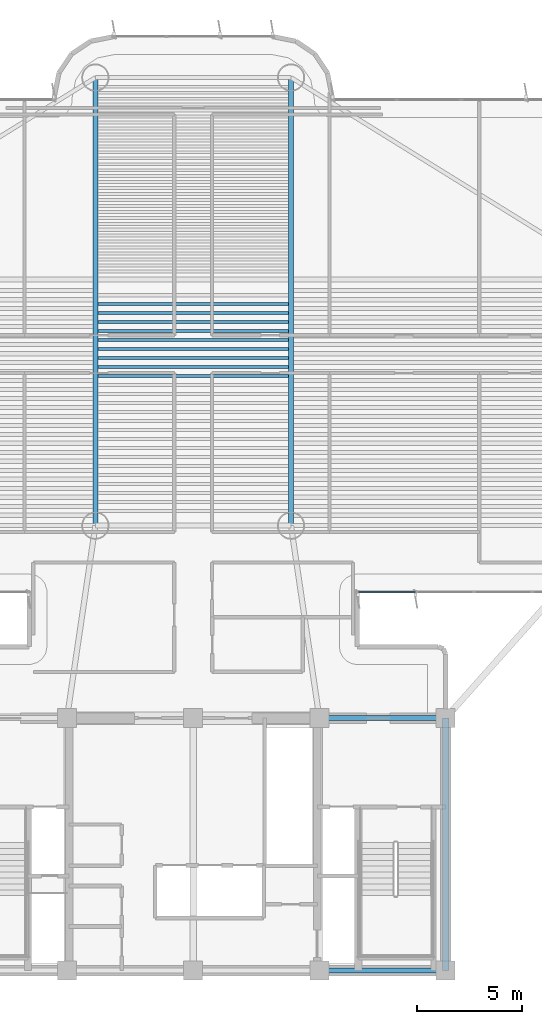
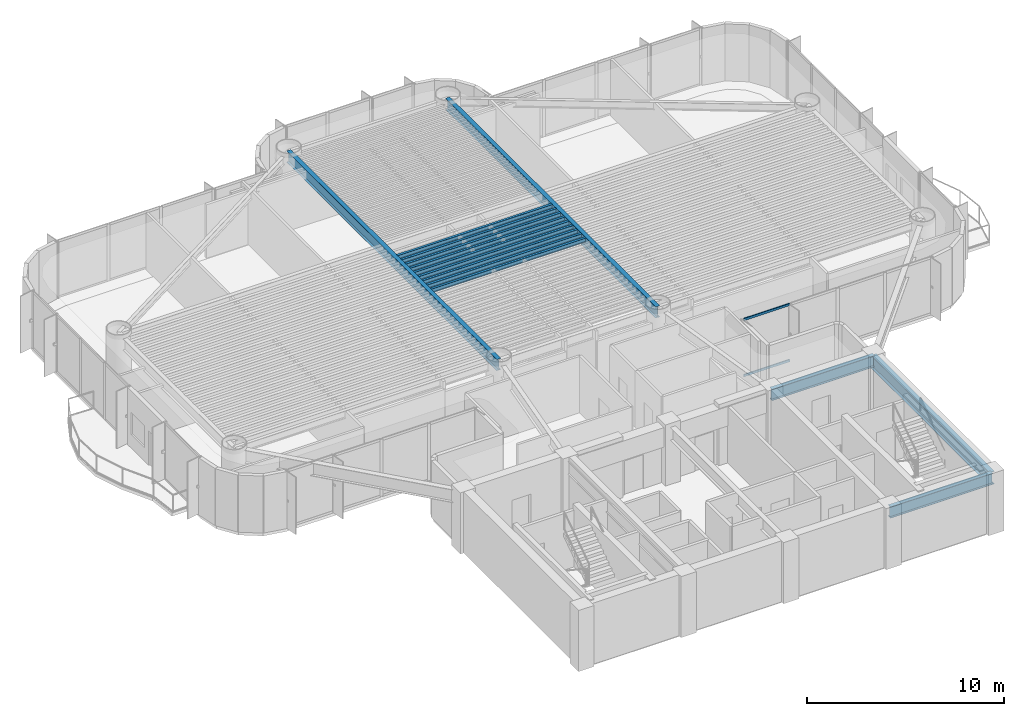
# One storey, part 3 of 16: 14 beams, 2 members, 1 element without a shape of its own.
"""IFC4 building model written with IfcOpenShell, lengths in metres."""

from ifc_helpers import new_model, si_unit, direction, frame, origin, origin_2d, place, context, subcontext, project, spatial, rectangle, i_section, extrude, source, transform, mapped, material, layer, layer_set, material_profile, profile_set, type_object, element, aggregate, save


model = new_model("IFC4")

# Units and contexts
model_context = context("Model", 3, precision=1e-05, world=origin(), true_north=direction((0.0, 1.0)))
body_context = subcontext(model_context, "Body", "Model", "MODEL_VIEW")
ifc_project = project(units=[si_unit("LENGTHUNIT", "METRE"), si_unit("AREAUNIT", "SQUARE_METRE"), si_unit("VOLUMEUNIT", "CUBIC_METRE"), si_unit("PLANEANGLEUNIT", "RADIAN"), si_unit("MASSUNIT", "GRAM", prefix="KILO")], contexts=[model_context])

# Site, building, storey
site_placement = place(None, origin())
site = spatial("IfcSite", under=ifc_project, at=site_placement, CompositionType="ELEMENT")
building_placement = place(site_placement, origin())
building = spatial("IfcBuilding", under=site, at=building_placement, Name="Brelvock Crest Care Tower", CompositionType="ELEMENT")
storey_placement = place(building_placement, frame((0.0, 0.0, 120.06005859375)))
storey = spatial("IfcBuildingStorey", under=building, at=storey_placement, Name="L30", CompositionType="ELEMENT", Elevation=120.06005859375)

# Beams
ifc_material_1 = material(Name="Steel Grade 350", Category="steel")
ifc_material_profile_1 = material_profile(ifc_material_1, i_section(OverallWidth=0.25, OverallDepth=0.699951171875, WebThickness=0.011962890625, FlangeThickness=0.02001953125, at=origin_2d()), Name="700WB150")
ifc_profile_set_1 = profile_set([ifc_material_profile_1], Name="Steel Grade 350")
beam_type_1 = type_object("IfcBeamType", Name="BM-G4", PredefinedType="BEAM", material=ifc_profile_set_1)
shared_shape_1 = source(origin(), body_context, "Body", "SweptSolid", [
    extrude(i_section(OverallWidth=0.25, OverallDepth=0.699951171875, WebThickness=0.011962890625, FlangeThickness=0.02001953125, at=origin_2d()), origin(), (0.0, 0.0, 1.0), 6.0),
])
for number, where, z_axis, x_axis, name in (
    (1, (42.0, 6.0, 3.179931640625), (1.0, 0.0, 0.0), (0.0, 1.0, 0.0), "BM-CORES-L30-4"),
    (2, (42.0, 18.0, 3.179931640625), (1.0, 0.0, 0.0), (0.0, 1.0, 0.0), "BM-COREN-L30-4"),
):
    element("IfcBeam", number, at=place(storey_placement, frame(where, z_axis=z_axis, x_axis=x_axis)), inside=storey, type_object=beam_type_1, Name=name, PredefinedType="BEAM", context=body_context, shape_type="MappedRepresentation", body=[
        mapped(shared_shape_1, transform((0.0, 0.0, 0.0), x_axis=(1.0, 0.0, 0.0), y_axis=(0.0, 1.0, 0.0), z_axis=(0.0, 0.0, 1.0), scale=1.0)),
    ])
ifc_material_profile_2 = material_profile(ifc_material_1, i_section(OverallWidth=0.300048828125, OverallDepth=0.800048828125, WebThickness=0.013916015625, FlangeThickness=0.02197265625, at=origin_2d()), Name="800WB192")
ifc_profile_set_2 = profile_set([ifc_material_profile_2], Name="Steel Grade 350")
beam_type_2 = type_object("IfcBeamType", Name="BM-G5", PredefinedType="BEAM", material=ifc_profile_set_2)
shared_shape_2 = source(origin(), body_context, "Body", "SweptSolid", [
    extrude(i_section(OverallWidth=0.300048828125, OverallDepth=0.800048828125, WebThickness=0.013916015625, FlangeThickness=0.02197265625, at=origin_2d()), origin(), (0.0, 0.0, 1.0), 12.0),
])
beam_placement = place(storey_placement, frame((48.0, 6.0, 3.1298828125), z_axis=(0.0, 1.0, 0.0), x_axis=(-1.0, 0.0, 0.0)))
element("IfcBeam", 3, at=beam_placement, inside=storey, type_object=beam_type_2, Name="BM-COREX-L30-5", PredefinedType="BEAM", context=body_context, shape_type="MappedRepresentation", body=[
    mapped(shared_shape_2, transform((0.0, 0.0, 0.0), x_axis=(1.0, 0.0, 0.0), y_axis=(0.0, 1.0, 0.0), z_axis=(0.0, 0.0, 1.0), scale=1.0)),
])
ifc_material_profile_3 = material_profile(ifc_material_1, i_section(OverallWidth=0.14599609375, OverallDepth=0.256103515625, WebThickness=0.00634765625, FlangeThickness=0.010986328125, FilletRadius=0.0087890625, at=origin_2d()), Name="250UB37.3")
ifc_profile_set_3 = profile_set([ifc_material_profile_3], Name="Steel Grade 350")
beam_type_3 = type_object("IfcBeamType", Name="BM-J3", PredefinedType="JOIST", material=ifc_profile_set_3)
shared_shape_3 = source(origin(), body_context, "Body", "SweptSolid", [
    extrude(i_section(OverallWidth=0.14599609375, OverallDepth=0.256103515625, WebThickness=0.00634765625, FlangeThickness=0.010986328125, FilletRadius=0.0087890625, at=origin_2d()), origin(), (0.0, 0.0, 1.0), 9.06982421875),
])
for number, where, z_axis, x_axis, name in (
    (4, (31.465087890625, 34.2607421875, 3.40185546875), (1.0, 0.0, 0.0), (0.0, 1.0, 0.0), "BM-JH-L30-16"),
    (5, (31.465087890625, 34.687744140625, 3.40185546875), (1.0, 0.0, 0.0), (0.0, 1.0, 0.0), "BM-JH-L30-17"),
    (6, (31.465087890625, 35.11474609375, 3.40185546875), (1.0, 0.0, 0.0), (0.0, 1.0, 0.0), "BM-JH-L30-18"),
    (7, (31.465087890625, 35.541748046875, 3.40185546875), (1.0, 0.0, 0.0), (0.0, 1.0, 0.0), "BM-JH-L30-19"),
    (8, (31.465087890625, 35.96875, 3.40185546875), (1.0, 0.0, 0.0), (0.0, 1.0, 0.0), "BM-JH-L30-20"),
    (9, (31.465087890625, 36.39599609375, 3.40185546875), (1.0, 0.0, 0.0), (0.0, 1.0, 0.0), "BM-JH-L30-21"),
    (10, (31.465087890625, 36.822998046875, 3.40185546875), (1.0, 0.0, 0.0), (0.0, 1.0, 0.0), "BM-JH-L30-22"),
    (11, (31.465087890625, 37.25, 3.40185546875), (1.0, 0.0, 0.0), (0.0, 1.0, 0.0), "BM-JH-L30-23"),
    (12, (31.465087890625, 37.677001953125, 3.40185546875), (1.0, 0.0, 0.0), (0.0, 1.0, 0.0), "BM-JH-L30-24"),
):
    element("IfcBeam", number, at=place(storey_placement, frame(where, z_axis=z_axis, x_axis=x_axis)), inside=storey, type_object=beam_type_3, Name=name, PredefinedType="JOIST", context=body_context, shape_type="MappedRepresentation", body=[
        mapped(shared_shape_3, transform((0.0, 0.0, 0.0), x_axis=(1.0, 0.0, 0.0), y_axis=(0.0, 1.0, 0.0), z_axis=(0.0, 0.0, 1.0), scale=1.0)),
    ])
shared_shape_4 = source(origin(), body_context, "Body", "SweptSolid", [
    extrude(i_section(OverallWidth=0.25, OverallDepth=0.699951171875, WebThickness=0.011962890625, FlangeThickness=0.02001953125, at=origin_2d()), origin(), (0.0, 0.0, 1.0), 21.300048828125),
])
for number, where, z_axis, x_axis, name in (
    (13, (31.35009765625, 27.14990234375, 3.179931640625), (0.0, 1.0, 0.0), (-1.0, 0.0, 0.0), "BM-TWR-L30-09"),
    (14, (40.64990234375, 27.14990234375, 3.179931640625), (0.0, 1.0, 0.0), (-1.0, 0.0, 0.0), "BM-TWR-L30-10"),
):
    element("IfcBeam", number, at=place(storey_placement, frame(where, z_axis=z_axis, x_axis=x_axis)), inside=storey, type_object=beam_type_1, Name=name, PredefinedType="BEAM", context=body_context, shape_type="MappedRepresentation", body=[
        mapped(shared_shape_4, transform((0.0, 0.0, 0.0), x_axis=(1.0, 0.0, 0.0), y_axis=(0.0, 1.0, 0.0), z_axis=(0.0, 0.0, 1.0), scale=1.0)),
    ])

# Curtain wall, members
ifc_material_2 = material(Name="Dark Glass Double Glazed Low-E", Category="glass")
ifc_layer = layer(ifc_material_2, 0.2099609375, Name="CWS-3")
ifc_layer_set = layer_set([ifc_layer], Name="Dark Glass Double Glazed Low-E")
curtain_wall_type = type_object("IfcCurtainWallType", Name="CWS-3", PredefinedType="NOTDEFINED", material=ifc_layer_set)
curtain_wall_placement = place(storey_placement, origin())
curtain_wall = element("IfcCurtainWall", 15, at=curtain_wall_placement, inside=storey, type_object=curtain_wall_type, Name="L30 Curtain Wall E44", PredefinedType="NOTDEFINED")
ifc_material_3 = material(Name="Aluminium 6063-T6", Category="aluminium")
ifc_material_profile_4 = material_profile(ifc_material_3, rectangle(XDim=0.06005859375, YDim=0.139892578125, at=origin_2d()), Name="ALU60x140")
ifc_profile_set_4 = profile_set([ifc_material_profile_4], Name="Aluminium 6063-T6")
member_type = type_object("IfcMemberType", Name="CWT-2", PredefinedType="USERDEFINED", material=ifc_profile_set_4)
shared_shape_5 = source(origin(), body_context, "Body", "SweptSolid", [
    extrude(rectangle(XDim=0.06005859375, YDim=0.139892578125, at=origin_2d()), origin(), (0.0, 0.0, 1.0), 2.684814453125),
])
member_1_placement = place(storey_placement, frame((46.544921875, 24.0, 0.030029296875), z_axis=(-1.0, 0.0, 0.0), x_axis=(0.0, -1.0, 0.0)))
member_1 = element("IfcMember", 16, at=member_1_placement, type_object=member_type, Name="CW-3 transom 4.1", ObjectType="TRANSOM", PredefinedType="USERDEFINED", context=body_context, shape_type="MappedRepresentation", body=[
    mapped(shared_shape_5, transform((0.0, 0.0, 0.0), x_axis=(1.0, 0.0, 0.0), y_axis=(0.0, 1.0, 0.0), z_axis=(0.0, 0.0, 1.0), scale=1.0)),
])
member_2_placement = place(storey_placement, frame((46.544921875, 24.0, 3.5), z_axis=(-1.0, 0.0, 0.0), x_axis=(0.0, -1.0, 0.0)))
member_2 = element("IfcMember", 17, at=member_2_placement, type_object=member_type, Name="CW-3 transom 4.2", ObjectType="TRANSOM", PredefinedType="USERDEFINED", context=body_context, shape_type="MappedRepresentation", body=[
    mapped(shared_shape_5, transform((0.0, 0.0, 0.0), x_axis=(1.0, 0.0, 0.0), y_axis=(0.0, 1.0, 0.0), z_axis=(0.0, 0.0, 1.0), scale=1.0)),
])
aggregate(curtain_wall, [member_1, member_2])

save(model, "model.ifc")
